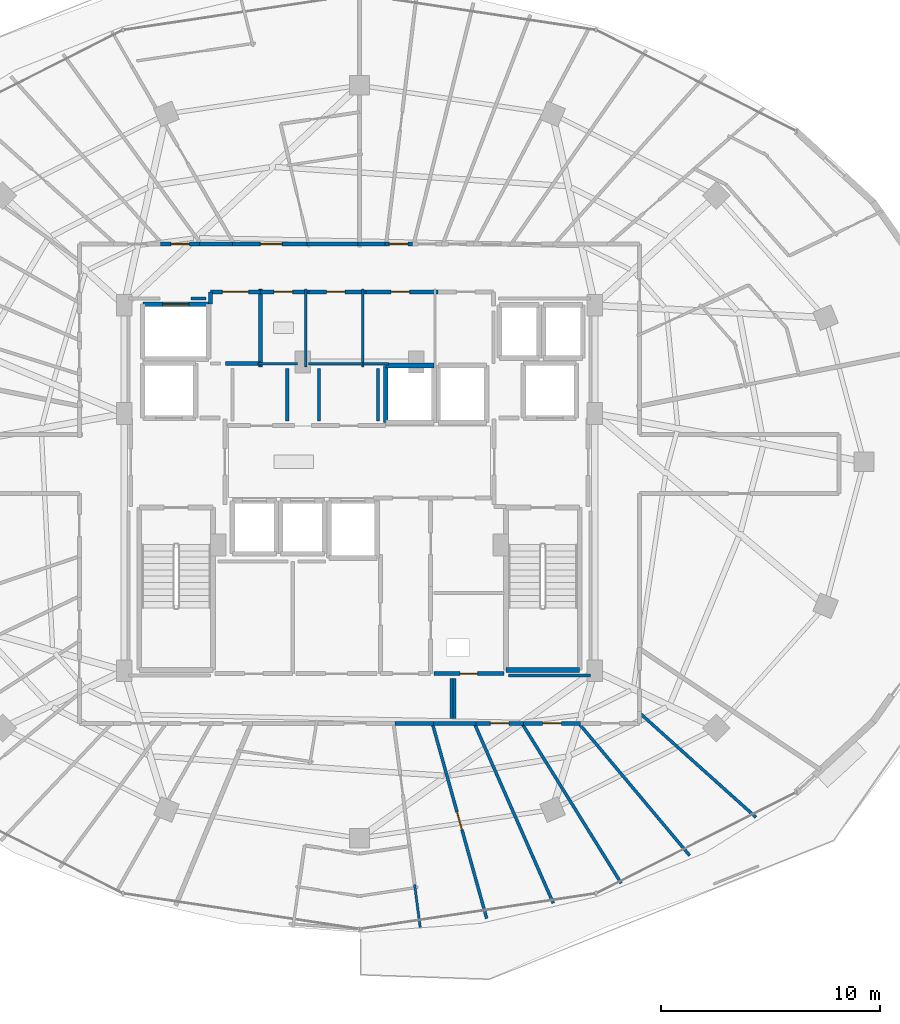
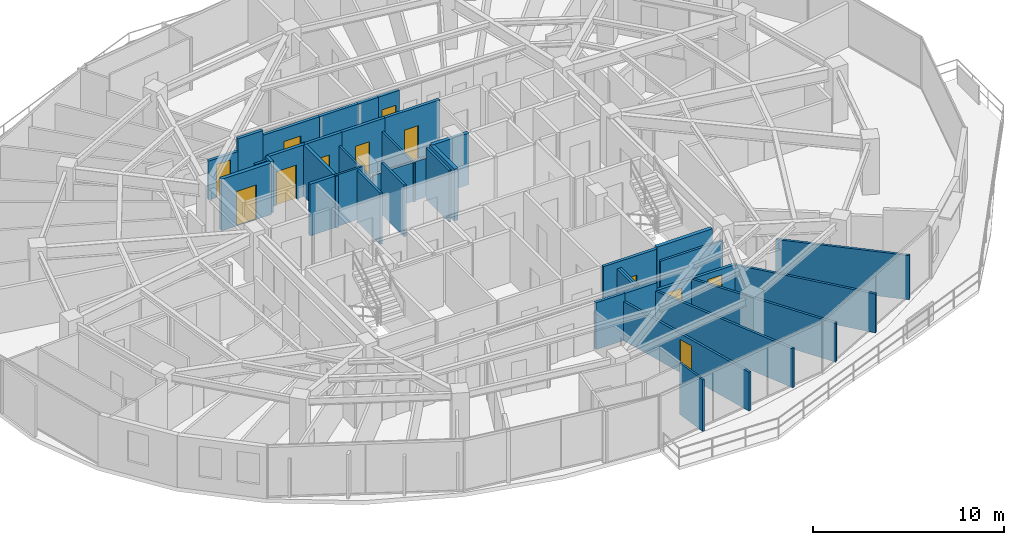
# One storey, part 27 of 34: 40 walls, 12 doors, 12 openings.
"""IFC4 building model written with IfcOpenShell, lengths in metres."""

import ifcopenshell
import ifcopenshell.guid

model = None  # the IFC model being written
_history = None  # IfcOwnerHistory: only IFC2X3 demands one
_inside = {}  # id of a spatial element -> (the spatial element, [elements in it])
_under = {}  # id of a project, library or spatial element -> (it, [spatial elements below it])
_declared = {}  # id of a project -> (the project, [libraries it declares])
_typed = {}  # id of a type object -> (the type object, [elements of that type])
_made_of = {}  # id of a material, layer set ... -> (it, [elements and type objects made of it])


def new_model(schema):
    """Start an empty IFC model of exactly this schema.

    Asked for "IFC4X3", IfcOpenShell would pick the latest addendum, in which some entities
    have other attributes; the version numbers below select the first issue.
    IFC2X3 requires an IfcOwnerHistory on every rooted entity: one is made here for all.
    """
    global model, _history
    if schema == "IFC4X3":
        model = ifcopenshell.file(schema_version=(4, 3, 0, 0))
    else:
        model = ifcopenshell.file(schema=schema)
    _inside.clear()
    _under.clear()
    _declared.clear()
    _typed.clear()
    _made_of.clear()
    _history = None
    if model.schema == "IFC2X3":
        org = make("IfcOrganization", Name="unknown")
        user = make(
            "IfcPersonAndOrganization",
            ThePerson=make("IfcPerson", FamilyName="unknown"),
            TheOrganization=org,
        )
        app = make(
            "IfcApplication",
            ApplicationDeveloper=org,
            Version="unknown",
            ApplicationFullName="unknown",
            ApplicationIdentifier="unknown",
        )
        _history = make(
            "IfcOwnerHistory",
            OwningUser=user,
            OwningApplication=app,
            ChangeAction="ADDED",
            CreationDate=0,
        )
    return model


def make(cls, **values):
    """One entity of the class cls with the attributes given. An attribute that is None is left unset."""
    return model.create_entity(
        cls, **{name: value for name, value in values.items() if value is not None}
    )


def rooted(cls, **values):
    """An entity with a GlobalId (a new one), such as an element, a storey or a relation."""
    return make(cls, GlobalId=ifcopenshell.guid.new(), OwnerHistory=_history, **values)


def si_unit(unit_type, name, prefix=None):
    """IfcSIUnit, for example si_unit("LENGTHUNIT", "METRE", prefix="MILLI")."""
    return make("IfcSIUnit", UnitType=unit_type, Prefix=prefix, Name=name)


def assignment(units):
    """IfcUnitAssignment: the units of a project."""
    return None if units is None else make("IfcUnitAssignment", Units=units)


def point(xyz):
    """IfcCartesianPoint."""
    return None if xyz is None else make("IfcCartesianPoint", Coordinates=xyz)


def direction(xyz):
    """IfcDirection."""
    return None if xyz is None else make("IfcDirection", DirectionRatios=xyz)


def frame(location, z_axis=None, x_axis=None):
    """IfcAxis2Placement3D, a coordinate frame: its origin and axes. An axis left out is left unset."""
    return make(
        "IfcAxis2Placement3D",
        Location=point(location),
        Axis=direction(z_axis),
        RefDirection=direction(x_axis),
    )


def frame_2d(location, x_axis=None):
    """IfcAxis2Placement2D, a coordinate frame in the plane: its origin and x axis."""
    return make(
        "IfcAxis2Placement2D", Location=point(location), RefDirection=direction(x_axis)
    )


def origin():
    """The frame at (0, 0, 0) with its axes left unset."""
    return frame((0.0, 0.0, 0.0))


def place(relative_to, where):
    """IfcLocalPlacement: puts the frame where relative to a parent placement (None: the world)."""
    return make(
        "IfcLocalPlacement", PlacementRelTo=relative_to, RelativePlacement=where
    )


def context(
    kind, dimensions, precision=None, world=None, true_north=None, identifier=None
):
    """IfcGeometricRepresentationContext, for example the 3D "Model" context."""
    return make(
        "IfcGeometricRepresentationContext",
        ContextIdentifier=identifier,
        ContextType=kind,
        CoordinateSpaceDimension=dimensions,
        Precision=precision,
        WorldCoordinateSystem=world,
        TrueNorth=true_north,
    )


def subcontext(parent, identifier, kind, view, scale=None):
    """IfcGeometricRepresentationSubContext, for example "Body" below "Model"."""
    return make(
        "IfcGeometricRepresentationSubContext",
        ContextIdentifier=identifier,
        ContextType=kind,
        ParentContext=parent,
        TargetScale=scale,
        TargetView=view,
    )


def project(units=None, contexts=None):
    """IfcProject with its units and contexts."""
    return rooted(
        "IfcProject",
        Name="project",
        RepresentationContexts=contexts,
        UnitsInContext=assignment(units),
    )


def spatial(cls, under=None, at=None, **own):
    """A site, building, storey or space (cls), placed at a placement, below another one or the project."""
    s = rooted(cls, ObjectPlacement=at, **own)
    if under is not None:
        _under.setdefault(under.id(), (under, []))[1].append(s)
    return s


def profile(cls, at=None, kind="AREA", **sizes):
    """A parametric profile (cls). Its sizes go by their IFC names, for example OverallWidth=200.0."""
    return make(cls, ProfileType=kind, Position=at, **sizes)


def rectangle(**sizes):
    """IfcRectangleProfileDef."""
    return profile("IfcRectangleProfileDef", **sizes)


def extrude(swept, where, along, depth):
    """IfcExtrudedAreaSolid: the profile swept, set in the frame where, extruded along a direction by depth."""
    return make(
        "IfcExtrudedAreaSolid",
        SweptArea=swept,
        Position=where,
        ExtrudedDirection=direction(along),
        Depth=depth,
    )


def shape(context_of_items, identifier, shape_type, items):
    """IfcShapeRepresentation: the items that make up one representation, for example the "Body"."""
    return make(
        "IfcShapeRepresentation",
        ContextOfItems=context_of_items,
        RepresentationIdentifier=identifier,
        RepresentationType=shape_type,
        Items=items,
    )


def material(Name=None, Category=None):
    """IfcMaterial."""
    return make("IfcMaterial", Name=Name, Category=Category)


def layer(
    of_material, thickness, ventilated=None, Name=None, Category=None, Priority=None
):
    """IfcMaterialLayer: one layer of a wall or slab, of a material (None: an air gap)."""
    return make(
        "IfcMaterialLayer",
        Material=of_material,
        LayerThickness=thickness,
        IsVentilated=ventilated,
        Name=Name,
        Category=Category,
        Priority=Priority,
    )


def layer_set(layers, Name=None):
    """IfcMaterialLayerSet."""
    return make("IfcMaterialLayerSet", MaterialLayers=layers, LayerSetName=Name)


def made_of(thing, what):
    """Note that an element or type object is made of a material, layer set ...; save() writes the relation."""
    if what is not None:
        _made_of.setdefault(what.id(), (what, []))[1].append(thing)
    return thing


def type_object(cls, material=None, **own):
    """A type object (cls), such as IfcWallType, which elements share."""
    return made_of(rooted(cls, **own), material)


def element(
    cls,
    number,
    at=None,
    inside=None,
    cuts=None,
    type_object=None,
    material=None,
    context=None,
    identifier="Body",
    shape_type=None,
    held_by="IfcProductDefinitionShape",
    body=None,
    shapes=None,
    **own,
):
    """One element of the class cls, such as IfcWall. Its Tag is "e" and its number.

    at: its placement. inside: the storey or other place that contains it. cuts: it is an
    opening in that element (IfcRelVoidsElement). A single representation is given by context,
    identifier, shape_type and body (its items); several are given by shapes. held_by: the class
    of the entity that holds the representations. save() writes the other relations.
    """
    e = rooted(cls, Tag="e%d" % number, ObjectPlacement=at, **own)
    if body is not None:
        shapes = [shape(context, identifier, shape_type, body)]
    if shapes is not None:
        e.Representation = make(held_by, Representations=shapes)
    if inside is not None:
        _inside.setdefault(inside.id(), (inside, []))[1].append(e)
    if cuts is not None:
        rooted(
            "IfcRelVoidsElement", RelatingBuildingElement=cuts, RelatedOpeningElement=e
        )
    if type_object is not None:
        _typed.setdefault(type_object.id(), (type_object, []))[1].append(e)
    return made_of(e, material)


def fill(opening, filler):
    """IfcRelFillsElement: the door or window that sits in an opening."""
    return rooted(
        "IfcRelFillsElement",
        RelatingOpeningElement=opening,
        RelatedBuildingElement=filler,
    )


def aggregate(whole, parts):
    """IfcRelAggregates: a whole, such as a stair, and the parts it consists of."""
    return rooted("IfcRelAggregates", RelatingObject=whole, RelatedObjects=parts)


def save(model, path):
    """Write the relations noted so far, then the file.

    IfcRelAggregates (storeys below a building ...), IfcRelContainedInSpatialStructure (elements
    in a storey), IfcRelDefinesByType, IfcRelAssociatesMaterial and IfcRelDeclares: one each for
    every whole, place, type object, material and project.
    """
    for whole, parts in _under.values():
        aggregate(whole, parts)
    for where, things in _inside.values():
        rooted(
            "IfcRelContainedInSpatialStructure",
            RelatedElements=things,
            RelatingStructure=where,
        )
    for kind, things in _typed.values():
        rooted("IfcRelDefinesByType", RelatedObjects=things, RelatingType=kind)
    for what, things in _made_of.values():
        rooted("IfcRelAssociatesMaterial", RelatedObjects=things, RelatingMaterial=what)
    for by, libraries in _declared.values():
        rooted("IfcRelDeclares", RelatingContext=by, RelatedDefinitions=libraries)
    model.write(path)


model = new_model("IFC4")

# Units and contexts
model_context = context("Model", 3, precision=1e-05, world=origin(), true_north=direction((0.0, 1.0)))
body_context = subcontext(model_context, "Body", "Model", "MODEL_VIEW")
ifc_project = project(units=[si_unit("LENGTHUNIT", "METRE"), si_unit("AREAUNIT", "SQUARE_METRE"), si_unit("VOLUMEUNIT", "CUBIC_METRE"), si_unit("PLANEANGLEUNIT", "RADIAN"), si_unit("MASSUNIT", "GRAM", prefix="KILO")], contexts=[model_context])

# Site, building, storey
site_placement = place(None, origin())
site = spatial("IfcSite", under=ifc_project, at=site_placement, CompositionType="ELEMENT")
building_placement = place(site_placement, origin())
building = spatial("IfcBuilding", under=site, at=building_placement, Name="Vorneva Point Tower", CompositionType="ELEMENT")
storey_placement = place(building_placement, frame((0.0, 0.0, 214.300048828125)))
storey = spatial("IfcBuildingStorey", under=building, at=storey_placement, Name="L58", CompositionType="ELEMENT", Elevation=214.300048828125)

# Walls
ifc_material_1 = material(Name="Fire-rated acoustic gypsum stud partition", Category="gypsum")
ifc_layer_1 = layer(ifc_material_1, 0.110107421875)
ifc_layer_set_1 = layer_set([ifc_layer_1], Name="Fire-rated acoustic gypsum stud partition")
wall_type_1 = type_object("IfcWallType", Name="WL-PART-110", PredefinedType="PARTITIONING", material=ifc_layer_set_1)
wall_1_placement = place(storey_placement, frame((35.550048828125, 30.340087890625, 0.0), z_axis=(0.0, 0.0, 1.0), x_axis=(0.0, 1.0, 0.0)))
element("IfcWall", 1, at=wall_1_placement, inside=storey, type_object=wall_type_1, Name="L58 Interior Partition 020", PredefinedType="PARTITIONING", context=body_context, shape_type="SweptSolid", body=[
    extrude(rectangle(XDim=3.559814453125, YDim=0.110107421875, at=frame_2d((1.77978515625, 0.0))), origin(), (0.0, 0.0, 1.0), 2.48193359375),
])
wall_2_placement = place(storey_placement, frame((33.360107421875, 30.47998046875, 0.0), z_axis=(0.0, 0.0, 1.0), x_axis=(1.0, 0.0, 0.0)))
element("IfcWall", 2, at=wall_2_placement, inside=storey, type_object=wall_type_1, Name="L58 Interior Partition 021", PredefinedType="PARTITIONING", context=body_context, shape_type="SweptSolid", body=[
    extrude(rectangle(XDim=1.809814453125, YDim=0.110107421875, at=frame_2d((0.90478515625, 0.0))), origin(), (0.0, 0.0, 1.0), 3.2900390625),
])
wall_3_placement = place(storey_placement, frame((38.14990234375, 30.340087890625, 0.0), z_axis=(0.0, 0.0, 1.0), x_axis=(0.0, 1.0, 0.0)))
element("IfcWall", 3, at=wall_3_placement, inside=storey, type_object=wall_type_1, Name="L58 Interior Partition 023", PredefinedType="PARTITIONING", context=body_context, shape_type="SweptSolid", body=[
    extrude(rectangle(XDim=3.559814453125, YDim=0.110107421875, at=frame_2d((1.77978515625, 0.0))), origin(), (0.0, 0.0, 1.0), 2.48193359375),
])
wall_4_placement = place(storey_placement, frame((35.679931640625, 30.47998046875, 0.0), z_axis=(0.0, 0.0, 1.0), x_axis=(1.0, 0.0, 0.0)))
element("IfcWall", 4, at=wall_4_placement, inside=storey, type_object=wall_type_1, Name="L58 Interior Partition 024", PredefinedType="PARTITIONING", context=body_context, shape_type="SweptSolid", body=[
    extrude(rectangle(XDim=2.594970703125, YDim=0.110107421875, at=frame_2d((1.29736328125, 0.0))), origin(), (0.0, 0.0, 1.0), 2.48193359375),
])
wall_5_placement = place(storey_placement, frame((38.1650390625, 30.47998046875, 0.0), z_axis=(0.0, 0.0, 1.0), x_axis=(1.0, 0.0, 0.0)))
element("IfcWall", 5, at=wall_5_placement, inside=storey, type_object=wall_type_1, Name="L58 Interior Partition 027", PredefinedType="PARTITIONING", context=body_context, shape_type="SweptSolid", body=[
    extrude(rectangle(XDim=1.155029296875, YDim=0.110107421875, at=frame_2d((0.57763671875, 0.0))), origin(), (0.0, 0.0, 1.0), 2.48193359375),
])
wall_6_placement = place(storey_placement, frame((40.774169921875, 4.71728515625, 0.0), z_axis=(0.0, 0.0, 1.0), x_axis=(-0.129233545587, 0.991614184396, 0.0)))
element("IfcWall", 6, at=wall_6_placement, inside=storey, type_object=wall_type_1, Name="L58 Interior Partition 163", PredefinedType="PARTITIONING", context=body_context, shape_type="SweptSolid", body=[
    extrude(rectangle(XDim=1.97607421875, YDim=0.110107421875, at=frame_2d((0.988037109375, 0.0))), origin(), (0.0, 0.0, 1.0), 3.2900390625),
])

# Wall, opening, door
ifc_layer_2 = layer(ifc_material_1, 0.139892578125)
ifc_layer_set_2 = layer_set([ifc_layer_2], Name="Fire-rated acoustic gypsum stud partition")
wall_type_2 = type_object("IfcWallType", Name="WL-PART-140", PredefinedType="PARTITIONING", material=ifc_layer_set_2)
wall_7_placement = place(storey_placement, frame((43.81201171875, 5.131103515625, 0.0), z_axis=(0.0, 0.0, 1.0), x_axis=(-0.268310216589, 0.963332563383, 0.0)))
wall_7 = element("IfcWall", 7, at=wall_7_placement, inside=storey, type_object=wall_type_2, Name="L58 Interior Partition 164", PredefinedType="PARTITIONING", context=body_context, shape_type="SweptSolid", body=[
    extrude(rectangle(XDim=9.258544921875, YDim=0.139892578125, at=frame_2d((4.62939453125, 0.0))), origin(), (0.0, 0.0, 1.0), 2.48193359375),
])
opening_1_placement = place(wall_7_placement, frame((4.2041015625, 0.0, 0.0)))
opening_1 = element("IfcOpeningElement", 8, at=opening_1_placement, cuts=wall_7, Name="Opening ID-02", PredefinedType="OPENING", context=body_context, shape_type="SweptSolid", body=[
    extrude(rectangle(XDim=0.85009765625, YDim=2.10009765625, at=frame_2d((0.425048828125, 1.050048828125))), frame((0.0, 0.0849609375, 0.0), z_axis=(0.0, -1.0, 0.0), x_axis=(1.0, 0.0, 0.0)), (0.0, 0.0, 1.0), 0.169677734375),
])
ifc_material_2 = material(Name="Engineered oak fire-rated door leaf", Category="wood")
door_type_1 = type_object("IfcDoorType", Name="DR-BATH-850", OperationType="NOTDEFINED", PredefinedType="DOOR", material=ifc_material_2)
door_1_placement = place(opening_1_placement, origin())
door_1 = element("IfcDoor", 9, at=door_1_placement, inside=storey, type_object=door_type_1, Name="L58 Access Door Master Bedroom L58-04.1", OperationType="SINGLE_SWING_RIGHT", OverallHeight=2.10009765625, OverallWidth=0.85009765625, PredefinedType="DOOR", context=body_context, shape_type="SweptSolid", body=[
    extrude(rectangle(XDim=0.85009765625, YDim=2.10009765625, at=frame_2d((0.425048828125, 1.050048828125))), frame((0.0, 0.02490234375, 0.0), z_axis=(0.0, -1.0, 0.0), x_axis=(1.0, 0.0, 0.0)), (0.0, 0.0, 1.0), 0.050048828125),
])
fill(opening_1, door_1)

# Walls
wall_8_placement = place(storey_placement, frame((46.85400390625, 5.8291015625, 0.0), z_axis=(0.0, 0.0, 1.0), x_axis=(-0.401869944724, 0.915696755224, 0.0)))
element("IfcWall", 10, at=wall_8_placement, inside=storey, type_object=wall_type_2, Name="L58 Interior Partition 165", PredefinedType="PARTITIONING", context=body_context, shape_type="SweptSolid", body=[
    extrude(rectangle(XDim=8.977783203125, YDim=0.139892578125, at=frame_2d((4.48876953125, 0.0))), origin(), (0.0, 0.0, 1.0), 2.48193359375),
])
wall_9_placement = place(storey_placement, frame((49.95703125, 6.742919921875, 0.0), z_axis=(0.0, 0.0, 1.0), x_axis=(-0.527501342892, 0.849554196769, 0.0)))
element("IfcWall", 11, at=wall_9_placement, inside=storey, type_object=wall_type_2, Name="L58 Interior Partition 166", PredefinedType="PARTITIONING", context=body_context, shape_type="SweptSolid", body=[
    extrude(rectangle(XDim=8.60107421875, YDim=0.139892578125, at=frame_2d((4.300537109375, 0.0))), origin(), (0.0, 0.0, 1.0), 2.48193359375),
])
wall_10_placement = place(storey_placement, frame((53.0830078125, 8.009033203125, 0.0), z_axis=(0.0, 0.0, 1.0), x_axis=(-0.642484403916, 0.766298760749, 0.0)))
element("IfcWall", 12, at=wall_10_placement, inside=storey, type_object=wall_type_2, Name="L58 Interior Partition 167", PredefinedType="PARTITIONING", context=body_context, shape_type="SweptSolid", body=[
    extrude(rectangle(XDim=7.88330078125, YDim=0.139892578125, at=frame_2d((3.941650390625, 0.0))), origin(), (0.0, 0.0, 1.0), 2.48193359375),
])
wall_11_placement = place(storey_placement, frame((56.111083984375, 9.757080078125, 0.0), z_axis=(0.0, 0.0, 1.0), x_axis=(-0.744477346253, 0.667647722168, 0.0)))
element("IfcWall", 13, at=wall_11_placement, inside=storey, type_object=wall_type_2, Name="L58 Interior Partition 168", PredefinedType="PARTITIONING", context=body_context, shape_type="SweptSolid", body=[
    extrude(rectangle(XDim=7.1337890625, YDim=0.139892578125, at=frame_2d((3.56689453125, 0.0))), origin(), (0.0, 0.0, 1.0), 2.823974609375),
])
for number, where, z_axis, x_axis, name in (
    (14, (34.699951171875, 27.8701171875, 0.0), (0.0, 0.0, 1.0), (0.0, 1.0, 0.0), "L58 Interior Closure Partition 179"),
    (15, (36.14990234375, 30.260009765625, 0.0), (0.0, 0.0, 1.0), (0.0, -1.0, 0.0), "L58 Interior Closure Partition 180"),
    (16, (38.85009765625, 27.8701171875, 0.0), (0.0, 0.0, 1.0), (0.0, 1.0, 0.0), "L58 Interior Closure Partition 181"),
):
    element("IfcWall", number, at=place(storey_placement, frame(where, z_axis=z_axis, x_axis=x_axis)), inside=storey, type_object=wall_type_2, Name=name, PredefinedType="PARTITIONING", context=body_context, shape_type="SweptSolid", body=[
        extrude(rectangle(XDim=2.389892578125, YDim=0.139892578125, at=frame_2d((1.19482421875, 0.0))), origin(), (0.0, 0.0, 1.0), 3.2900390625),
    ])
wall_12_placement = place(storey_placement, frame((30.97998046875, 33.449951171875, 0.0), z_axis=(0.0, 0.0, 1.0), x_axis=(-1.0, 0.0, 0.0)))
element("IfcWall", 17, at=wall_12_placement, inside=storey, type_object=wall_type_2, Name="L58 Interior Closure Partition 184", PredefinedType="PARTITIONING", context=body_context, shape_type="SweptSolid", body=[
    extrude(rectangle(XDim=0.674072265625, YDim=0.139892578125, at=frame_2d((0.3369140625, 0.0))), origin(), (0.0, 0.0, 1.0), 3.2900390625),
])
for number, where, z_axis, x_axis, name in (
    (18, (42.199951171875, 16.10009765625, 0.0), (0.0, 0.0, 1.0), (0.0, -1.0, 0.0), "L58 Interior Closure Partition 189"),
    (19, (42.340087890625, 14.27001953125, 0.0), (0.0, 0.0, 1.0), (0.0, 1.0, 0.0), "L58 Interior Closure Partition 190"),
):
    element("IfcWall", number, at=place(storey_placement, frame(where, z_axis=z_axis, x_axis=x_axis)), inside=storey, type_object=wall_type_2, Name=name, PredefinedType="PARTITIONING", context=body_context, shape_type="SweptSolid", body=[
        extrude(rectangle(XDim=1.830078125, YDim=0.139892578125, at=frame_2d((0.9150390625, 0.0))), origin(), (0.0, 0.0, 1.0), 2.97900390625),
    ])
wall_13_placement = place(storey_placement, frame((44.804931640625, 16.239990234375, 0.0), z_axis=(0.0, 0.0, 1.0), x_axis=(1.0, 0.0, 0.0)))
element("IfcWall", 20, at=wall_13_placement, inside=storey, type_object=wall_type_2, Name="L58 Interior Closure Partition 191", PredefinedType="PARTITIONING", context=body_context, shape_type="SweptSolid", body=[
    extrude(rectangle(XDim=3.7451171875, YDim=0.139892578125, at=frame_2d((1.87255859375, 0.0))), origin(), (0.0, 0.0, 1.0), 2.48193359375),
])
ifc_material_3 = material(Name="Autoclaved aerated concrete blockwork", Category="masonry")
ifc_layer_3 = layer(ifc_material_3, 0.179931640625)
ifc_layer_set_3 = layer_set([ifc_layer_3], Name="Autoclaved aerated concrete blockwork")
wall_type_3 = type_object("IfcWallType", Name="WL-PART-180", PredefinedType="PARTITIONING", material=ifc_layer_set_3)
wall_14_placement = place(storey_placement, frame((33.469970703125, 30.340087890625, 0.0), z_axis=(0.0, 0.0, 1.0), x_axis=(0.0, 1.0, 0.0)))
element("IfcWall", 21, at=wall_14_placement, inside=storey, type_object=wall_type_3, Name="L58 Interior Partition 006", PredefinedType="PARTITIONING", context=body_context, shape_type="SweptSolid", body=[
    extrude(rectangle(XDim=3.559814453125, YDim=0.179931640625, at=frame_2d((1.77978515625, 0.0))), origin(), (0.0, 0.0, 1.0), 3.2900390625),
])
wall_15_placement = place(storey_placement, frame((31.8701171875, 30.47998046875, 0.0), z_axis=(0.0, 0.0, 1.0), x_axis=(1.0, 0.0, 0.0)))
element("IfcWall", 22, at=wall_15_placement, inside=storey, type_object=wall_type_3, Name="L58 Interior Partition 007", PredefinedType="PARTITIONING", context=body_context, shape_type="SweptSolid", body=[
    extrude(rectangle(XDim=1.599853515625, YDim=0.179931640625, at=frame_2d((0.7998046875, 0.0))), origin(), (0.0, 0.0, 1.0), 3.2900390625),
])

# Wall, opening, door
wall_16_placement = place(storey_placement, frame((33.469970703125, 33.760009765625, 0.0), z_axis=(0.0, 0.0, 1.0), x_axis=(-1.0, 0.0, 0.0)))
wall_16 = element("IfcWall", 23, at=wall_16_placement, inside=storey, type_object=wall_type_3, Name="L58 Interior Partition 008", PredefinedType="PARTITIONING", context=body_context, shape_type="SweptSolid", body=[
    extrude(rectangle(XDim=2.27001953125, YDim=0.179931640625, at=frame_2d((1.135009765625, 0.0))), origin(), (0.0, 0.0, 1.0), 3.2900390625),
])
opening_2_placement = place(wall_16_placement, frame((0.534912109375, 0.0, 0.0)))
opening_2 = element("IfcOpeningElement", 24, at=opening_2_placement, cuts=wall_16, Name="Opening FD-02", PredefinedType="OPENING", context=body_context, shape_type="SweptSolid", body=[
    extrude(rectangle(XDim=1.199951171875, YDim=2.14990234375, at=frame_2d((0.60009765625, 1.074951171875))), frame((0.0, 0.10498046875, 0.0), z_axis=(0.0, -1.0, 0.0), x_axis=(1.0, 0.0, 0.0)), (0.0, 0.0, 1.0), 0.209716796875),
])
ifc_material_4 = material(Name="Fire-rated powder-coated steel", Category="steel")
door_type_2 = type_object("IfcDoorType", Name="DR-FFL-1200", OperationType="NOTDEFINED", PredefinedType="DOOR", material=ifc_material_4)
door_2_placement = place(opening_2_placement, origin())
door_2 = element("IfcDoor", 25, at=door_2_placement, inside=storey, type_object=door_type_2, Name="L58 Door Service Lift Lobby / L58 Circulation Corridor", OperationType="SINGLE_SWING_LEFT", OverallHeight=2.14990234375, OverallWidth=1.199951171875, PredefinedType="DOOR", context=body_context, shape_type="SweptSolid", body=[
    extrude(rectangle(XDim=1.199951171875, YDim=2.14990234375, at=frame_2d((0.60009765625, 1.074951171875))), frame((0.0, 0.02490234375, 0.0), z_axis=(0.0, -1.0, 0.0), x_axis=(1.0, 0.0, 0.0)), (0.0, 0.0, 1.0), 0.050048828125),
])
fill(opening_2, door_2)

# Wall
wall_17_placement = place(storey_placement, frame((31.199951171875, 33.760009765625, 0.0), z_axis=(0.0, 0.0, 1.0), x_axis=(0.0, -1.0, 0.0)))
element("IfcWall", 26, at=wall_17_placement, inside=storey, type_object=wall_type_3, Name="L58 Interior Partition 009", PredefinedType="PARTITIONING", context=body_context, shape_type="SweptSolid", body=[
    extrude(rectangle(XDim=0.56005859375, YDim=0.179931640625, at=frame_2d((0.280029296875, 0.0))), origin(), (0.0, 0.0, 1.0), 3.2900390625),
])

# Wall, opening, door
wall_18_placement = place(storey_placement, frame((41.39990234375, 16.320068359375, 0.0), z_axis=(0.0, 0.0, 1.0), x_axis=(1.0, 0.0, 0.0)))
wall_18 = element("IfcWall", 27, at=wall_18_placement, inside=storey, type_object=wall_type_3, Name="L58 Interior Partition 019", PredefinedType="PARTITIONING", context=body_context, shape_type="SweptSolid", body=[
    extrude(rectangle(XDim=3.2001953125, YDim=0.179931640625, at=frame_2d((1.60009765625, 0.0))), origin(), (0.0, 0.0, 1.0), 3.2900390625),
])
opening_3_placement = place(wall_18_placement, frame((1.199951171875, 0.0, 0.0)))
opening_3 = element("IfcOpeningElement", 28, at=opening_3_placement, cuts=wall_18, Name="Opening RD-01", PredefinedType="OPENING", context=body_context, shape_type="SweptSolid", body=[
    extrude(rectangle(XDim=0.800048828125, YDim=2.050048828125, at=frame_2d((0.39990234375, 1.02490234375))), frame((0.0, 0.10498046875, 0.0), z_axis=(0.0, -1.0, 0.0), x_axis=(1.0, 0.0, 0.0)), (0.0, 0.0, 1.0), 0.209716796875),
])
door_type_3 = type_object("IfcDoorType", Name="DR-RSR-800", OperationType="SINGLE_SWING_LEFT", PredefinedType="DOOR", material=ifc_material_4)
door_3_placement = place(opening_3_placement, origin())
door_3 = element("IfcDoor", 29, at=door_3_placement, inside=storey, type_object=door_type_3, Name="L58 Door Electrical Riser / L58 Circulation Corridor", OperationType="SINGLE_SWING_RIGHT", OverallHeight=2.050048828125, OverallWidth=0.800048828125, PredefinedType="DOOR", context=body_context, shape_type="SweptSolid", body=[
    extrude(rectangle(XDim=0.800048828125, YDim=2.050048828125, at=frame_2d((0.39990234375, 1.02490234375))), frame((0.0, 0.02490234375, 0.0), z_axis=(0.0, -1.0, 0.0), x_axis=(1.0, 0.0, 0.0)), (0.0, 0.0, 1.0), 0.050048828125),
])
fill(opening_3, door_3)

wall_19_placement = place(storey_placement, frame((35.68994140625, 33.760009765625, 0.0), z_axis=(0.0, 0.0, 1.0), x_axis=(-1.0, 0.0, 0.0)))
wall_19 = element("IfcWall", 30, at=wall_19_placement, inside=storey, type_object=wall_type_3, Name="L58 Interior Partition 022", PredefinedType="PARTITIONING", context=body_context, shape_type="SweptSolid", body=[
    extrude(rectangle(XDim=2.329833984375, YDim=0.179931640625, at=frame_2d((1.1650390625, 0.0))), origin(), (0.0, 0.0, 1.0), 3.2900390625),
])
opening_4_placement = place(wall_19_placement, frame((0.739990234375, 0.0, 0.0)))
opening_4 = element("IfcOpeningElement", 31, at=opening_4_placement, cuts=wall_19, Name="Opening ID-02", PredefinedType="OPENING", context=body_context, shape_type="SweptSolid", body=[
    extrude(rectangle(XDim=0.85009765625, YDim=2.10009765625, at=frame_2d((0.425048828125, 1.050048828125))), frame((0.0, 0.10498046875, 0.0), z_axis=(0.0, -1.0, 0.0), x_axis=(1.0, 0.0, 0.0)), (0.0, 0.0, 1.0), 0.209716796875),
])
door_4_placement = place(opening_4_placement, origin())
door_4 = element("IfcDoor", 32, at=door_4_placement, inside=storey, type_object=door_type_1, Name="L58 Door Accessible WC / L58 Circulation Corridor", OperationType="SINGLE_SWING_LEFT", OverallHeight=2.10009765625, OverallWidth=0.85009765625, PredefinedType="DOOR", context=body_context, shape_type="SweptSolid", body=[
    extrude(rectangle(XDim=0.85009765625, YDim=2.10009765625, at=frame_2d((0.425048828125, 1.050048828125))), frame((0.0, 0.02490234375, 0.0), z_axis=(0.0, -1.0, 0.0), x_axis=(1.0, 0.0, 0.0)), (0.0, 0.0, 1.0), 0.050048828125),
])
fill(opening_4, door_4)

wall_20_placement = place(storey_placement, frame((38.2900390625, 33.760009765625, 0.0), z_axis=(0.0, 0.0, 1.0), x_axis=(-1.0, 0.0, 0.0)))
wall_20 = element("IfcWall", 33, at=wall_20_placement, inside=storey, type_object=wall_type_3, Name="L58 Interior Partition 025", PredefinedType="PARTITIONING", context=body_context, shape_type="SweptSolid", body=[
    extrude(rectangle(XDim=2.739990234375, YDim=0.179931640625, at=frame_2d((1.3701171875, 0.0))), origin(), (0.0, 0.0, 1.0), 3.2900390625),
])
opening_5_placement = place(wall_20_placement, frame((0.945068359375, 0.0, 0.0)))
opening_5 = element("IfcOpeningElement", 34, at=opening_5_placement, cuts=wall_20, Name="Opening ID-02", PredefinedType="OPENING", context=body_context, shape_type="SweptSolid", body=[
    extrude(rectangle(XDim=0.85009765625, YDim=2.10009765625, at=frame_2d((0.425048828125, 1.050048828125))), frame((0.0, 0.10498046875, 0.0), z_axis=(0.0, -1.0, 0.0), x_axis=(1.0, 0.0, 0.0)), (0.0, 0.0, 1.0), 0.209716796875),
])
door_5_placement = place(opening_5_placement, origin())
door_5 = element("IfcDoor", 35, at=door_5_placement, inside=storey, type_object=door_type_1, Name="L58 Door Public Male WC / L58 Circulation Corridor", OperationType="SINGLE_SWING_RIGHT", OverallHeight=2.10009765625, OverallWidth=0.85009765625, PredefinedType="DOOR", context=body_context, shape_type="SweptSolid", body=[
    extrude(rectangle(XDim=0.85009765625, YDim=2.10009765625, at=frame_2d((0.425048828125, 1.050048828125))), frame((0.0, 0.02490234375, 0.0), z_axis=(0.0, -1.0, 0.0), x_axis=(1.0, 0.0, 0.0)), (0.0, 0.0, 1.0), 0.050048828125),
])
fill(opening_5, door_5)

wall_21_placement = place(storey_placement, frame((41.590087890625, 33.760009765625, 0.0), z_axis=(0.0, 0.0, 1.0), x_axis=(-1.0, 0.0, 0.0)))
wall_21 = element("IfcWall", 36, at=wall_21_placement, inside=storey, type_object=wall_type_3, Name="L58 Interior Partition 028", PredefinedType="PARTITIONING", context=body_context, shape_type="SweptSolid", body=[
    extrude(rectangle(XDim=3.440185546875, YDim=0.179931640625, at=frame_2d((1.72021484375, 0.0))), origin(), (0.0, 0.0, 1.0), 3.2900390625),
])
opening_6_placement = place(wall_21_placement, frame((1.294921875, 0.0, 0.0)))
opening_6 = element("IfcOpeningElement", 37, at=opening_6_placement, cuts=wall_21, Name="Opening ID-02", PredefinedType="OPENING", context=body_context, shape_type="SweptSolid", body=[
    extrude(rectangle(XDim=0.85009765625, YDim=2.10009765625, at=frame_2d((0.425048828125, 1.050048828125))), frame((0.0, 0.10498046875, 0.0), z_axis=(0.0, -1.0, 0.0), x_axis=(1.0, 0.0, 0.0)), (0.0, 0.0, 1.0), 0.209716796875),
])
door_6_placement = place(opening_6_placement, origin())
door_6 = element("IfcDoor", 38, at=door_6_placement, inside=storey, type_object=door_type_1, Name="L58 Door Public Female WC / L58 Circulation Corridor", OperationType="SINGLE_SWING_LEFT", OverallHeight=2.10009765625, OverallWidth=0.85009765625, PredefinedType="DOOR", context=body_context, shape_type="SweptSolid", body=[
    extrude(rectangle(XDim=0.85009765625, YDim=2.10009765625, at=frame_2d((0.425048828125, 1.050048828125))), frame((0.0, 0.02490234375, 0.0), z_axis=(0.0, -1.0, 0.0), x_axis=(1.0, 0.0, 0.0)), (0.0, 0.0, 1.0), 0.050048828125),
])
fill(opening_6, door_6)

wall_22_placement = place(storey_placement, frame((40.412109375, 35.949951171875, 0.0), z_axis=(0.0, 0.0, 1.0), x_axis=(-1.0, 0.0, 0.0)))
wall_22 = element("IfcWall", 39, at=wall_22_placement, inside=storey, type_object=wall_type_3, Name="L58 Interior Partition 042", PredefinedType="PARTITIONING", context=body_context, shape_type="SweptSolid", body=[
    extrude(rectangle(XDim=1.255126953125, YDim=0.179931640625, at=frame_2d((0.62744140625, 0.0))), origin(), (0.0, 0.0, 1.0), 2.97900390625),
])
opening_7_placement = place(wall_22_placement, frame((0.202392578125, 0.0, 0.0)))
opening_7 = element("IfcOpeningElement", 40, at=opening_7_placement, cuts=wall_22, Name="Opening ID-02", PredefinedType="OPENING", context=body_context, shape_type="SweptSolid", body=[
    extrude(rectangle(XDim=0.85009765625, YDim=2.10009765625, at=frame_2d((0.425048828125, 1.050048828125))), frame((0.0, 0.10498046875, 0.0), z_axis=(0.0, -1.0, 0.0), x_axis=(1.0, 0.0, 0.0)), (0.0, 0.0, 1.0), 0.209716796875),
])
door_7_placement = place(opening_7_placement, origin())
door_7 = element("IfcDoor", 41, at=door_7_placement, inside=storey, type_object=door_type_1, Name="L58 Access Door L58 Circulation Corridor", OperationType="SINGLE_SWING_RIGHT", OverallHeight=2.10009765625, OverallWidth=0.85009765625, PredefinedType="DOOR", context=body_context, shape_type="SweptSolid", body=[
    extrude(rectangle(XDim=0.85009765625, YDim=2.10009765625, at=frame_2d((0.425048828125, 1.050048828125))), frame((0.0, 0.02490234375, 0.0), z_axis=(0.0, -1.0, 0.0), x_axis=(1.0, 0.0, 0.0)), (0.0, 0.0, 1.0), 0.050048828125),
])
fill(opening_7, door_7)

# Wall
wall_23_placement = place(storey_placement, frame((39.156982421875, 35.949951171875, 0.0), z_axis=(0.0, 0.0, 1.0), x_axis=(-1.0, 0.0, 0.0)))
element("IfcWall", 42, at=wall_23_placement, inside=storey, type_object=wall_type_3, Name="L58 Interior Partition 043", PredefinedType="PARTITIONING", context=body_context, shape_type="SweptSolid", body=[
    extrude(rectangle(XDim=1.217041015625, YDim=0.179931640625, at=frame_2d((0.6083984375, 0.0))), origin(), (0.0, 0.0, 1.0), 2.97900390625),
])

# Wall, opening, door
wall_24_placement = place(storey_placement, frame((35.73193359375, 35.949951171875, 0.0), z_axis=(0.0, 0.0, 1.0), x_axis=(-1.0, 0.0, 0.0)))
wall_24 = element("IfcWall", 43, at=wall_24_placement, inside=storey, type_object=wall_type_3, Name="L58 Interior Partition 044", PredefinedType="PARTITIONING", context=body_context, shape_type="SweptSolid", body=[
    extrude(rectangle(XDim=3.52783203125, YDim=0.179931640625, at=frame_2d((1.763916015625, 0.0))), origin(), (0.0, 0.0, 1.0), 2.97900390625),
])
opening_8_placement = place(wall_24_placement, frame((1.263916015625, 0.0, 0.0)))
opening_8 = element("IfcOpeningElement", 44, at=opening_8_placement, cuts=wall_24, Name="Opening UD-01", PredefinedType="OPENING", context=body_context, shape_type="SweptSolid", body=[
    extrude(rectangle(XDim=1.0, YDim=2.14990234375, at=frame_2d((0.5, 1.074951171875))), frame((0.0, 0.10498046875, 0.0), z_axis=(0.0, -1.0, 0.0), x_axis=(1.0, 0.0, 0.0)), (0.0, 0.0, 1.0), 0.209716796875),
])
door_type_4 = type_object("IfcDoorType", Name="DR-UNIT-1000", OperationType="NOTDEFINED", PredefinedType="DOOR", material=ifc_material_2)
door_8_placement = place(opening_8_placement, origin())
door_8 = element("IfcDoor", 45, at=door_8_placement, inside=storey, type_object=door_type_4, Name="L58 Door L58 Circulation Corridor / Living and Dining Room L58-02", OperationType="SINGLE_SWING_RIGHT", OverallHeight=2.14990234375, OverallWidth=1.0, PredefinedType="DOOR", context=body_context, shape_type="SweptSolid", body=[
    extrude(rectangle(XDim=1.0, YDim=2.14990234375, at=frame_2d((0.5, 1.074951171875))), frame((0.0, 0.02490234375, 0.0), z_axis=(0.0, -1.0, 0.0), x_axis=(1.0, 0.0, 0.0)), (0.0, 0.0, 1.0), 0.050048828125),
])
fill(opening_8, door_8)

# Walls
wall_25_placement = place(storey_placement, frame((38.080078125, 35.949951171875, 0.0), z_axis=(0.0, 0.0, 1.0), x_axis=(-1.0, 0.0, 0.0)))
element("IfcWall", 46, at=wall_25_placement, inside=storey, type_object=wall_type_3, Name="L58 Interior Partition 045", PredefinedType="PARTITIONING", context=body_context, shape_type="SweptSolid", body=[
    extrude(rectangle(XDim=2.488037109375, YDim=0.179931640625, at=frame_2d((1.244140625, 0.0))), origin(), (0.0, 0.0, 1.0), 2.97900390625),
])
wall_26_placement = place(storey_placement, frame((32.2041015625, 35.949951171875, 0.0), z_axis=(0.0, 0.0, 1.0), x_axis=(-1.0, 0.0, 0.0)))
element("IfcWall", 47, at=wall_26_placement, inside=storey, type_object=wall_type_3, Name="L58 Interior Partition 046", PredefinedType="PARTITIONING", context=body_context, shape_type="SweptSolid", body=[
    extrude(rectangle(XDim=1.51513671875, YDim=0.179931640625, at=frame_2d((0.757568359375, 0.0))), origin(), (0.0, 0.0, 1.0), 3.2900390625),
])

# Wall, opening, door
wall_27_placement = place(storey_placement, frame((30.68896484375, 35.949951171875, 0.0), z_axis=(0.0, 0.0, 1.0), x_axis=(-1.0, 0.0, 0.0)))
wall_27 = element("IfcWall", 48, at=wall_27_placement, inside=storey, type_object=wall_type_3, Name="L58 Interior Partition 047", PredefinedType="PARTITIONING", context=body_context, shape_type="SweptSolid", body=[
    extrude(rectangle(XDim=1.77001953125, YDim=0.179931640625, at=frame_2d((0.885009765625, 0.0))), origin(), (0.0, 0.0, 1.0), 2.48193359375),
])
opening_9_placement = place(wall_27_placement, frame((0.4599609375, 0.0, 0.0)))
opening_9 = element("IfcOpeningElement", 49, at=opening_9_placement, cuts=wall_27, Name="Opening ID-02", PredefinedType="OPENING", context=body_context, shape_type="SweptSolid", body=[
    extrude(rectangle(XDim=0.85009765625, YDim=2.10009765625, at=frame_2d((0.425048828125, 1.050048828125))), frame((0.0, 0.10498046875, 0.0), z_axis=(0.0, -1.0, 0.0), x_axis=(1.0, 0.0, 0.0)), (0.0, 0.0, 1.0), 0.209716796875),
])
door_9_placement = place(opening_9_placement, origin())
door_9 = element("IfcDoor", 50, at=door_9_placement, inside=storey, type_object=door_type_1, Name="L58 Access Door L58 Circulation Corridor", OperationType="SINGLE_SWING_LEFT", OverallHeight=2.10009765625, OverallWidth=0.85009765625, PredefinedType="DOOR", context=body_context, shape_type="SweptSolid", body=[
    extrude(rectangle(XDim=0.85009765625, YDim=2.10009765625, at=frame_2d((0.425048828125, 1.050048828125))), frame((0.0, 0.02490234375, 0.0), z_axis=(0.0, -1.0, 0.0), x_axis=(1.0, 0.0, 0.0)), (0.0, 0.0, 1.0), 0.050048828125),
])
fill(opening_9, door_9)

# Walls
wall_28_placement = place(storey_placement, frame((39.617919921875, 14.050048828125, 0.0), z_axis=(0.0, 0.0, 1.0), x_axis=(1.0, 0.0, 0.0)))
element("IfcWall", 51, at=wall_28_placement, inside=storey, type_object=wall_type_3, Name="L58 Interior Partition 072", PredefinedType="PARTITIONING", context=body_context, shape_type="SweptSolid", body=[
    extrude(rectangle(XDim=1.77197265625, YDim=0.179931640625, at=frame_2d((0.885986328125, 0.0))), origin(), (0.0, 0.0, 1.0), 2.97900390625),
])
wall_29_placement = place(storey_placement, frame((41.389892578125, 14.050048828125, 0.0), z_axis=(0.0, 0.0, 1.0), x_axis=(1.0, 0.0, 0.0)))
element("IfcWall", 52, at=wall_29_placement, inside=storey, type_object=wall_type_3, Name="L58 Interior Partition 073", PredefinedType="PARTITIONING", context=body_context, shape_type="SweptSolid", body=[
    extrude(rectangle(XDim=1.922119140625, YDim=0.179931640625, at=frame_2d((0.9609375, 0.0))), origin(), (0.0, 0.0, 1.0), 2.97900390625),
])

# Wall, opening, door
wall_30_placement = place(storey_placement, frame((43.31201171875, 14.050048828125, 0.0), z_axis=(0.0, 0.0, 1.0), x_axis=(1.0, 0.0, 0.0)))
wall_30 = element("IfcWall", 53, at=wall_30_placement, inside=storey, type_object=wall_type_3, Name="L58 Interior Partition 074", PredefinedType="PARTITIONING", context=body_context, shape_type="SweptSolid", body=[
    extrude(rectangle(XDim=2.178955078125, YDim=0.179931640625, at=frame_2d((1.08935546875, 0.0))), origin(), (0.0, 0.0, 1.0), 2.48193359375),
])
opening_10_placement = place(wall_30_placement, frame((0.66455078125, 0.0, 0.0)))
opening_10 = element("IfcOpeningElement", 54, at=opening_10_placement, cuts=wall_30, Name="Opening ID-02", PredefinedType="OPENING", context=body_context, shape_type="SweptSolid", body=[
    extrude(rectangle(XDim=0.85009765625, YDim=2.10009765625, at=frame_2d((0.425048828125, 1.050048828125))), frame((0.0, 0.10498046875, 0.0), z_axis=(0.0, -1.0, 0.0), x_axis=(1.0, 0.0, 0.0)), (0.0, 0.0, 1.0), 0.209716796875),
])
door_10_placement = place(opening_10_placement, origin())
door_10 = element("IfcDoor", 55, at=door_10_placement, inside=storey, type_object=door_type_1, Name="L58 Access Door L58 Circulation Corridor", OperationType="SINGLE_SWING_RIGHT", OverallHeight=2.10009765625, OverallWidth=0.85009765625, PredefinedType="DOOR", context=body_context, shape_type="SweptSolid", body=[
    extrude(rectangle(XDim=0.85009765625, YDim=2.10009765625, at=frame_2d((0.425048828125, 1.050048828125))), frame((0.0, 0.02490234375, 0.0), z_axis=(0.0, -1.0, 0.0), x_axis=(1.0, 0.0, 0.0)), (0.0, 0.0, 1.0), 0.050048828125),
])
fill(opening_10, door_10)

wall_31_placement = place(storey_placement, frame((45.490966796875, 14.050048828125, 0.0), z_axis=(0.0, 0.0, 1.0), x_axis=(1.0, 0.0, 0.0)))
wall_31 = element("IfcWall", 56, at=wall_31_placement, inside=storey, type_object=wall_type_3, Name="L58 Interior Partition 075", PredefinedType="PARTITIONING", context=body_context, shape_type="SweptSolid", body=[
    extrude(rectangle(XDim=2.60498046875, YDim=0.179931640625, at=frame_2d((1.302490234375, 0.0))), origin(), (0.0, 0.0, 1.0), 2.48193359375),
])
opening_11_placement = place(wall_31_placement, frame((0.87744140625, 0.0, 0.0)))
opening_11 = element("IfcOpeningElement", 57, at=opening_11_placement, cuts=wall_31, Name="Opening ID-02", PredefinedType="OPENING", context=body_context, shape_type="SweptSolid", body=[
    extrude(rectangle(XDim=0.85009765625, YDim=2.10009765625, at=frame_2d((0.425048828125, 1.050048828125))), frame((0.0, 0.10498046875, 0.0), z_axis=(0.0, -1.0, 0.0), x_axis=(1.0, 0.0, 0.0)), (0.0, 0.0, 1.0), 0.209716796875),
])
door_11_placement = place(opening_11_placement, origin())
door_11 = element("IfcDoor", 58, at=door_11_placement, inside=storey, type_object=door_type_1, Name="L58 Access Door L58 Circulation Corridor", OperationType="SINGLE_SWING_LEFT", OverallHeight=2.10009765625, OverallWidth=0.85009765625, PredefinedType="DOOR", context=body_context, shape_type="SweptSolid", body=[
    extrude(rectangle(XDim=0.85009765625, YDim=2.10009765625, at=frame_2d((0.425048828125, 1.050048828125))), frame((0.0, 0.02490234375, 0.0), z_axis=(0.0, -1.0, 0.0), x_axis=(1.0, 0.0, 0.0)), (0.0, 0.0, 1.0), 0.050048828125),
])
fill(opening_11, door_11)

# Walls
ifc_material_5 = material(Name="Concrete B50 (C40/50)", Category="concrete")
ifc_layer_4 = layer(ifc_material_5, 0.219970703125)
ifc_layer_set_4 = layer_set([ifc_layer_4], Name="Concrete B50 (C40/50)")
wall_type_4 = type_object("IfcWallType", Name="WL-SHFT-220", PredefinedType="SOLIDWALL", material=ifc_layer_set_4)
wall_32_placement = place(storey_placement, frame((48.06005859375, 16.489990234375, 0.0), z_axis=(0.0, 0.0, 1.0), x_axis=(-1.0, 0.0, 0.0)))
element("IfcWall", 59, at=wall_32_placement, inside=storey, type_object=wall_type_4, Name="L58 Exit Stair ST2 Shaft Wall far", PredefinedType="SOLIDWALL", context=body_context, shape_type="SweptSolid", body=[
    extrude(rectangle(XDim=3.3701171875, YDim=0.219970703125, at=frame_2d((1.68505859375, 0.0))), origin(), (0.0, 0.0, 1.0), 3.2900390625),
])
wall_33_placement = place(storey_placement, frame((41.39990234375, 30.39990234375, 0.0), z_axis=(0.0, 0.0, 1.0), x_axis=(-1.0, 0.0, 0.0)))
element("IfcWall", 60, at=wall_33_placement, inside=storey, type_object=wall_type_4, Name="L58 Lift PL7 Shaft Wall +Y", PredefinedType="SOLIDWALL", context=body_context, shape_type="SweptSolid", body=[
    extrude(rectangle(XDim=2.199951171875, YDim=0.219970703125, at=frame_2d((1.10009765625, 0.0))), origin(), (0.0, 0.0, 1.0), 3.2900390625),
])
wall_34_placement = place(storey_placement, frame((39.199951171875, 30.39990234375, 0.0), z_axis=(0.0, 0.0, 1.0), x_axis=(0.0, -1.0, 0.0)))
element("IfcWall", 61, at=wall_34_placement, inside=storey, type_object=wall_type_4, Name="L58 Lift PL7 Shaft Wall -X", PredefinedType="SOLIDWALL", context=body_context, shape_type="SweptSolid", body=[
    extrude(rectangle(XDim=2.599853515625, YDim=0.219970703125, at=frame_2d((1.2998046875, 0.0))), origin(), (0.0, 0.0, 1.0), 3.2900390625),
])

# Wall, opening, door
wall_35_placement = place(storey_placement, frame((31.10009765625, 33.199951171875, 0.0), z_axis=(0.0, 0.0, 1.0), x_axis=(-1.0, 0.0, 0.0)))
wall_35 = element("IfcWall", 62, at=wall_35_placement, inside=storey, type_object=wall_type_4, Name="L58 Lift SVL1 Shaft Wall +Y", PredefinedType="SOLIDWALL", context=body_context, shape_type="SweptSolid", body=[
    extrude(rectangle(XDim=3.0, YDim=0.219970703125, at=frame_2d((1.5, 0.0))), origin(), (0.0, 0.0, 1.0), 3.2900390625),
])
opening_12_placement = place(wall_35_placement, frame((0.89990234375, 0.0, 0.0)))
opening_12 = element("IfcOpeningElement", 63, at=opening_12_placement, cuts=wall_35, Name="Opening LD-02", PredefinedType="OPENING", context=body_context, shape_type="SweptSolid", body=[
    extrude(rectangle(XDim=1.199951171875, YDim=2.199951171875, at=frame_2d((0.60009765625, 1.10009765625))), frame((0.0, 0.125, 0.0), z_axis=(0.0, -1.0, 0.0), x_axis=(1.0, 0.0, 0.0)), (0.0, 0.0, 1.0), 0.249755859375),
])
ifc_material_6 = material(Name="Brushed stainless steel S304", Category="steel")
door_type_5 = type_object("IfcDoorType", Name="LD-FIRE-1200", OperationType="SLIDING_TO_LEFT", PredefinedType="DOOR", material=ifc_material_6)
door_12_placement = place(opening_12_placement, origin())
door_12 = element("IfcDoor", 64, at=door_12_placement, inside=storey, type_object=door_type_5, Name="L58 Lift SVL1 Sliding Landing Door", OperationType="SLIDING_TO_LEFT", OverallHeight=2.199951171875, OverallWidth=1.199951171875, PredefinedType="DOOR", context=body_context, shape_type="SweptSolid", body=[
    extrude(rectangle(XDim=1.199951171875, YDim=2.199951171875, at=frame_2d((0.60009765625, 1.10009765625))), frame((0.0, 0.02490234375, 0.0), z_axis=(0.0, -1.0, 0.0), x_axis=(1.0, 0.0, 0.0)), (0.0, 0.0, 1.0), 0.050048828125),
])
fill(opening_12, door_12)

save(model, "model.ifc")
